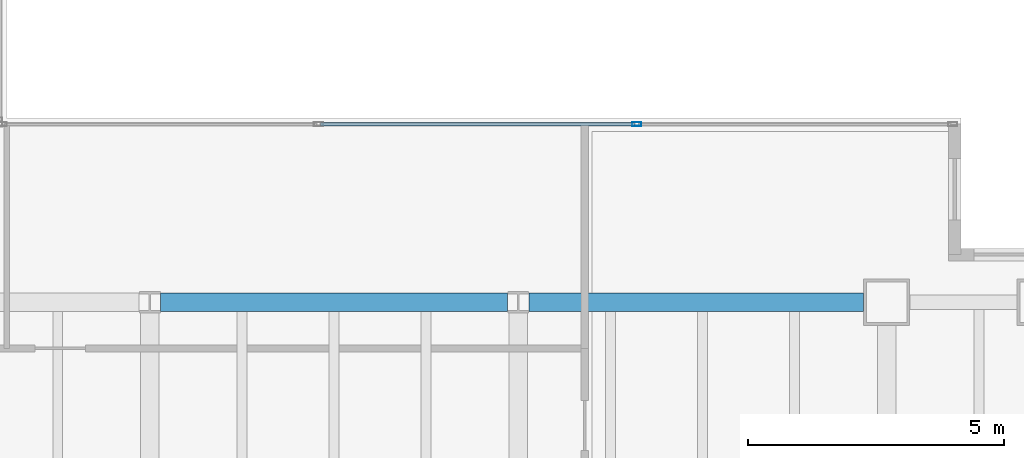
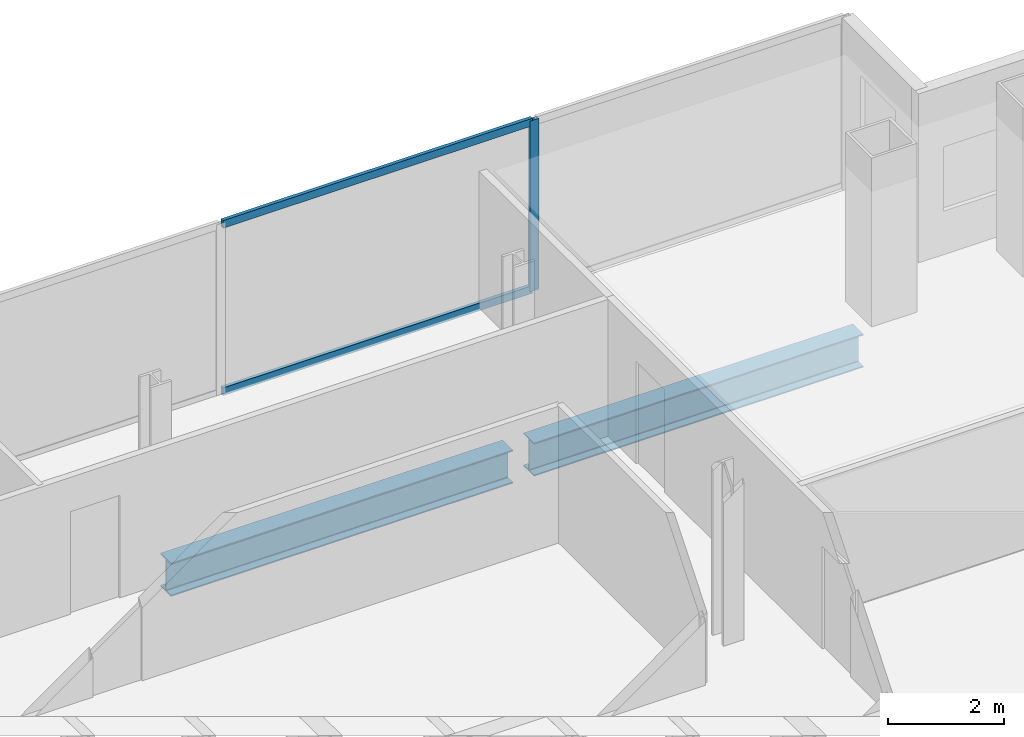
# One storey, part 14 of 23: 3 members, 2 beams, 1 element without a shape of its own.
"""IFC4 building model written with IfcOpenShell, lengths in metres."""

import ifcopenshell
import ifcopenshell.guid

model = None  # the IFC model being written
_history = None  # IfcOwnerHistory: only IFC2X3 demands one
_inside = {}  # id of a spatial element -> (the spatial element, [elements in it])
_under = {}  # id of a project, library or spatial element -> (it, [spatial elements below it])
_declared = {}  # id of a project -> (the project, [libraries it declares])
_typed = {}  # id of a type object -> (the type object, [elements of that type])
_made_of = {}  # id of a material, layer set ... -> (it, [elements and type objects made of it])


def new_model(schema):
    """Start an empty IFC model of exactly this schema.

    Asked for "IFC4X3", IfcOpenShell would pick the latest addendum, in which some entities
    have other attributes; the version numbers below select the first issue.
    IFC2X3 requires an IfcOwnerHistory on every rooted entity: one is made here for all.
    """
    global model, _history
    if schema == "IFC4X3":
        model = ifcopenshell.file(schema_version=(4, 3, 0, 0))
    else:
        model = ifcopenshell.file(schema=schema)
    _inside.clear()
    _under.clear()
    _declared.clear()
    _typed.clear()
    _made_of.clear()
    _history = None
    if model.schema == "IFC2X3":
        org = make("IfcOrganization", Name="unknown")
        user = make(
            "IfcPersonAndOrganization",
            ThePerson=make("IfcPerson", FamilyName="unknown"),
            TheOrganization=org,
        )
        app = make(
            "IfcApplication",
            ApplicationDeveloper=org,
            Version="unknown",
            ApplicationFullName="unknown",
            ApplicationIdentifier="unknown",
        )
        _history = make(
            "IfcOwnerHistory",
            OwningUser=user,
            OwningApplication=app,
            ChangeAction="ADDED",
            CreationDate=0,
        )
    return model


def make(cls, **values):
    """One entity of the class cls with the attributes given. An attribute that is None is left unset."""
    return model.create_entity(
        cls, **{name: value for name, value in values.items() if value is not None}
    )


def rooted(cls, **values):
    """An entity with a GlobalId (a new one), such as an element, a storey or a relation."""
    return make(cls, GlobalId=ifcopenshell.guid.new(), OwnerHistory=_history, **values)


def si_unit(unit_type, name, prefix=None):
    """IfcSIUnit, for example si_unit("LENGTHUNIT", "METRE", prefix="MILLI")."""
    return make("IfcSIUnit", UnitType=unit_type, Prefix=prefix, Name=name)


def assignment(units):
    """IfcUnitAssignment: the units of a project."""
    return None if units is None else make("IfcUnitAssignment", Units=units)


def point(xyz):
    """IfcCartesianPoint."""
    return None if xyz is None else make("IfcCartesianPoint", Coordinates=xyz)


def direction(xyz):
    """IfcDirection."""
    return None if xyz is None else make("IfcDirection", DirectionRatios=xyz)


def frame(location, z_axis=None, x_axis=None):
    """IfcAxis2Placement3D, a coordinate frame: its origin and axes. An axis left out is left unset."""
    return make(
        "IfcAxis2Placement3D",
        Location=point(location),
        Axis=direction(z_axis),
        RefDirection=direction(x_axis),
    )


def frame_2d(location, x_axis=None):
    """IfcAxis2Placement2D, a coordinate frame in the plane: its origin and x axis."""
    return make(
        "IfcAxis2Placement2D", Location=point(location), RefDirection=direction(x_axis)
    )


def origin():
    """The frame at (0, 0, 0) with its axes left unset."""
    return frame((0.0, 0.0, 0.0))


def origin_2d():
    """The frame at (0, 0) in the plane with its x axis left unset."""
    return frame_2d((0.0, 0.0))


def place(relative_to, where):
    """IfcLocalPlacement: puts the frame where relative to a parent placement (None: the world)."""
    return make(
        "IfcLocalPlacement", PlacementRelTo=relative_to, RelativePlacement=where
    )


def context(
    kind, dimensions, precision=None, world=None, true_north=None, identifier=None
):
    """IfcGeometricRepresentationContext, for example the 3D "Model" context."""
    return make(
        "IfcGeometricRepresentationContext",
        ContextIdentifier=identifier,
        ContextType=kind,
        CoordinateSpaceDimension=dimensions,
        Precision=precision,
        WorldCoordinateSystem=world,
        TrueNorth=true_north,
    )


def subcontext(parent, identifier, kind, view, scale=None):
    """IfcGeometricRepresentationSubContext, for example "Body" below "Model"."""
    return make(
        "IfcGeometricRepresentationSubContext",
        ContextIdentifier=identifier,
        ContextType=kind,
        ParentContext=parent,
        TargetScale=scale,
        TargetView=view,
    )


def project(units=None, contexts=None):
    """IfcProject with its units and contexts."""
    return rooted(
        "IfcProject",
        Name="project",
        RepresentationContexts=contexts,
        UnitsInContext=assignment(units),
    )


def spatial(cls, under=None, at=None, **own):
    """A site, building, storey or space (cls), placed at a placement, below another one or the project."""
    s = rooted(cls, ObjectPlacement=at, **own)
    if under is not None:
        _under.setdefault(under.id(), (under, []))[1].append(s)
    return s


def profile(cls, at=None, kind="AREA", **sizes):
    """A parametric profile (cls). Its sizes go by their IFC names, for example OverallWidth=200.0."""
    return make(cls, ProfileType=kind, Position=at, **sizes)


def hollow_rectangle(**sizes):
    """IfcRectangleHollowProfileDef."""
    return profile("IfcRectangleHollowProfileDef", **sizes)


def i_section(**sizes):
    """IfcIShapeProfileDef."""
    return profile("IfcIShapeProfileDef", **sizes)


def extrude(swept, where, along, depth):
    """IfcExtrudedAreaSolid: the profile swept, set in the frame where, extruded along a direction by depth."""
    return make(
        "IfcExtrudedAreaSolid",
        SweptArea=swept,
        Position=where,
        ExtrudedDirection=direction(along),
        Depth=depth,
    )


def shape(context_of_items, identifier, shape_type, items):
    """IfcShapeRepresentation: the items that make up one representation, for example the "Body"."""
    return make(
        "IfcShapeRepresentation",
        ContextOfItems=context_of_items,
        RepresentationIdentifier=identifier,
        RepresentationType=shape_type,
        Items=items,
    )


def material(Name=None, Category=None):
    """IfcMaterial."""
    return make("IfcMaterial", Name=Name, Category=Category)


def material_profile(
    of_material, cross_section, Name=None, Category=None, Priority=None
):
    """IfcMaterialProfile: a cross section and its material."""
    return make(
        "IfcMaterialProfile",
        Name=Name,
        Material=of_material,
        Profile=cross_section,
        Priority=Priority,
        Category=Category,
    )


def profile_set(profiles, Name=None, composite=None):
    """IfcMaterialProfileSet."""
    return make(
        "IfcMaterialProfileSet",
        Name=Name,
        MaterialProfiles=profiles,
        CompositeProfile=composite,
    )


def made_of(thing, what):
    """Note that an element or type object is made of a material, layer set ...; save() writes the relation."""
    if what is not None:
        _made_of.setdefault(what.id(), (what, []))[1].append(thing)
    return thing


def type_object(cls, material=None, **own):
    """A type object (cls), such as IfcWallType, which elements share."""
    return made_of(rooted(cls, **own), material)


def element(
    cls,
    number,
    at=None,
    inside=None,
    cuts=None,
    type_object=None,
    material=None,
    context=None,
    identifier="Body",
    shape_type=None,
    held_by="IfcProductDefinitionShape",
    body=None,
    shapes=None,
    **own,
):
    """One element of the class cls, such as IfcWall. Its Tag is "e" and its number.

    at: its placement. inside: the storey or other place that contains it. cuts: it is an
    opening in that element (IfcRelVoidsElement). A single representation is given by context,
    identifier, shape_type and body (its items); several are given by shapes. held_by: the class
    of the entity that holds the representations. save() writes the other relations.
    """
    e = rooted(cls, Tag="e%d" % number, ObjectPlacement=at, **own)
    if body is not None:
        shapes = [shape(context, identifier, shape_type, body)]
    if shapes is not None:
        e.Representation = make(held_by, Representations=shapes)
    if inside is not None:
        _inside.setdefault(inside.id(), (inside, []))[1].append(e)
    if cuts is not None:
        rooted(
            "IfcRelVoidsElement", RelatingBuildingElement=cuts, RelatedOpeningElement=e
        )
    if type_object is not None:
        _typed.setdefault(type_object.id(), (type_object, []))[1].append(e)
    return made_of(e, material)


def aggregate(whole, parts):
    """IfcRelAggregates: a whole, such as a stair, and the parts it consists of."""
    return rooted("IfcRelAggregates", RelatingObject=whole, RelatedObjects=parts)


def save(model, path):
    """Write the relations noted so far, then the file.

    IfcRelAggregates (storeys below a building ...), IfcRelContainedInSpatialStructure (elements
    in a storey), IfcRelDefinesByType, IfcRelAssociatesMaterial and IfcRelDeclares: one each for
    every whole, place, type object, material and project.
    """
    for whole, parts in _under.values():
        aggregate(whole, parts)
    for where, things in _inside.values():
        rooted(
            "IfcRelContainedInSpatialStructure",
            RelatedElements=things,
            RelatingStructure=where,
        )
    for kind, things in _typed.values():
        rooted("IfcRelDefinesByType", RelatedObjects=things, RelatingType=kind)
    for what, things in _made_of.values():
        rooted("IfcRelAssociatesMaterial", RelatedObjects=things, RelatingMaterial=what)
    for by, libraries in _declared.values():
        rooted("IfcRelDeclares", RelatingContext=by, RelatedDefinitions=libraries)
    model.write(path)


model = new_model("IFC4")

# Units and contexts
model_context = context("Model", 3, precision=1e-05, world=origin(), true_north=direction((0.0, 1.0)))
body_context = subcontext(model_context, "Body", "Model", "MODEL_VIEW")
ifc_project = project(units=[si_unit("LENGTHUNIT", "METRE"), si_unit("AREAUNIT", "SQUARE_METRE"), si_unit("VOLUMEUNIT", "CUBIC_METRE"), si_unit("PLANEANGLEUNIT", "RADIAN"), si_unit("MASSUNIT", "GRAM", prefix="KILO")], contexts=[model_context])

# Site, building, storey
site_placement = place(None, origin())
site = spatial("IfcSite", under=ifc_project, at=site_placement, CompositionType="ELEMENT")
building_placement = place(site_placement, origin())
building = spatial("IfcBuilding", under=site, at=building_placement, Name="Cobrela Telecom Tower", CompositionType="ELEMENT")
storey_placement = place(building_placement, frame((0.0, 0.0, 129.14990234375)))
storey = spatial("IfcBuildingStorey", under=building, at=storey_placement, Name="L32", CompositionType="ELEMENT", Elevation=129.14990234375)

# Beams
ifc_material_1 = material(Name="Steel ASTM A992 Grade 50", Category="steel")
ifc_material_profile_1 = material_profile(ifc_material_1, i_section(OverallWidth=0.35595703125, OverallDepth=0.696044921875, WebThickness=0.015380859375, FlangeThickness=0.024658203125, FilletRadius=0.01806640625, at=origin_2d()), Name="W27X146")
ifc_profile_set_1 = profile_set([ifc_material_profile_1], Name="Steel ASTM A992 Grade 50")
beam_type = type_object("IfcBeamType", Name="BM-GIRD-05", PredefinedType="USERDEFINED", material=ifc_profile_set_1)
beam_1_placement = place(storey_placement, frame((29.009521484375, 21.60009765625, -0.617919921875), z_axis=(1.0, 0.0, 0.0), x_axis=(0.0, 1.0, 0.0)))
element("IfcBeam", 1, at=beam_1_placement, inside=storey, type_object=beam_type, Name="L32 Primary Girder X20", ObjectType="GIRDER", PredefinedType="USERDEFINED", context=body_context, shape_type="SweptSolid", body=[
    extrude(i_section(OverallWidth=0.35595703125, OverallDepth=0.696044921875, WebThickness=0.015380859375, FlangeThickness=0.024658203125, FilletRadius=0.01806640625, at=origin_2d()), origin(), (0.0, 0.0, 1.0), 6.781005859375),
])
beam_2_placement = place(storey_placement, frame((36.20947265625, 21.60009765625, -0.617919921875), z_axis=(1.0, 0.0, 0.0), x_axis=(0.0, 1.0, 0.0)))
element("IfcBeam", 2, at=beam_2_placement, inside=storey, type_object=beam_type, Name="L32 Primary Girder X21", ObjectType="GIRDER", PredefinedType="USERDEFINED", context=body_context, shape_type="SweptSolid", body=[
    extrude(i_section(OverallWidth=0.35595703125, OverallDepth=0.696044921875, WebThickness=0.015380859375, FlangeThickness=0.024658203125, FilletRadius=0.01806640625, at=origin_2d()), origin(), (0.0, 0.0, 1.0), 6.53564453125),
])

# Curtain wall, members
ifc_material_2 = material(Name="Anodized Bronze Aluminium 6063-T6", Category="aluminium")
curtain_wall_type = type_object("IfcCurtainWallType", Name="CW-SYS-TEL", PredefinedType="USERDEFINED", material=ifc_material_2)
curtain_wall_placement = place(storey_placement, origin())
curtain_wall = element("IfcCurtainWall", 3, at=curtain_wall_placement, inside=storey, type_object=curtain_wall_type, Name="L32 Unitised Bronze Curtain Wall 11", ObjectType="UNITISED CURTAIN WALL", PredefinedType="USERDEFINED")
ifc_material_profile_2 = material_profile(ifc_material_2, hollow_rectangle(XDim=0.074951171875, YDim=0.179931640625, WallThickness=0.00390625, at=origin_2d()), Name="ALU 75x180x4")
ifc_profile_set_2 = profile_set([ifc_material_profile_2], Name="Anodized Bronze Aluminium 6063-T6")
member_type_1 = type_object("IfcMemberType", Name="CW-SYS-TEL-MUL", PredefinedType="MULLION", material=ifc_profile_set_2)
member_1_placement = place(storey_placement, frame((38.313232421875, 25.080078125, 0.0), z_axis=(0.0, 0.0, 1.0), x_axis=(0.0, 1.0, 0.0)))
member_1 = element("IfcMember", 4, at=member_1_placement, type_object=member_type_1, Name="CW-TEL mullion 3", PredefinedType="MULLION", context=body_context, shape_type="SweptSolid", body=[
    extrude(hollow_rectangle(XDim=0.074951171875, YDim=0.179931640625, WallThickness=0.00390625, at=origin_2d()), origin(), (0.0, 0.0, 1.0), 3.580078125),
])
ifc_material_profile_3 = material_profile(ifc_material_2, hollow_rectangle(XDim=0.070068359375, YDim=0.159912109375, WallThickness=0.00390625, at=origin_2d()), Name="ALU 70x160x4")
ifc_profile_set_3 = profile_set([ifc_material_profile_3], Name="Anodized Bronze Aluminium 6063-T6")
member_type_2 = type_object("IfcMemberType", Name="CW-SYS-TEL-TRN", PredefinedType="USERDEFINED", material=ifc_profile_set_3)
member_2_placement = place(storey_placement, frame((32.13427734375, 25.080078125, 0.03515625), z_axis=(1.0, 0.0, 0.0), x_axis=(0.0, 1.0, 0.0)))
member_2 = element("IfcMember", 5, at=member_2_placement, type_object=member_type_2, Name="CW-TEL transom 2.1", ObjectType="TRANSOM", PredefinedType="USERDEFINED", context=body_context, shape_type="SweptSolid", body=[
    extrude(hollow_rectangle(XDim=0.070068359375, YDim=0.159912109375, WallThickness=0.00390625, at=origin_2d()), origin(), (0.0, 0.0, 1.0), 6.1416015625),
])
member_3_placement = place(storey_placement, frame((32.13427734375, 25.080078125, 3.545166015625), z_axis=(1.0, 0.0, 0.0), x_axis=(0.0, 1.0, 0.0)))
member_3 = element("IfcMember", 6, at=member_3_placement, type_object=member_type_2, Name="CW-TEL transom 2.2", ObjectType="TRANSOM", PredefinedType="USERDEFINED", context=body_context, shape_type="SweptSolid", body=[
    extrude(hollow_rectangle(XDim=0.070068359375, YDim=0.159912109375, WallThickness=0.00390625, at=origin_2d()), origin(), (0.0, 0.0, 1.0), 6.1416015625),
])
aggregate(curtain_wall, [member_1, member_2, member_3])

save(model, "model.ifc")
